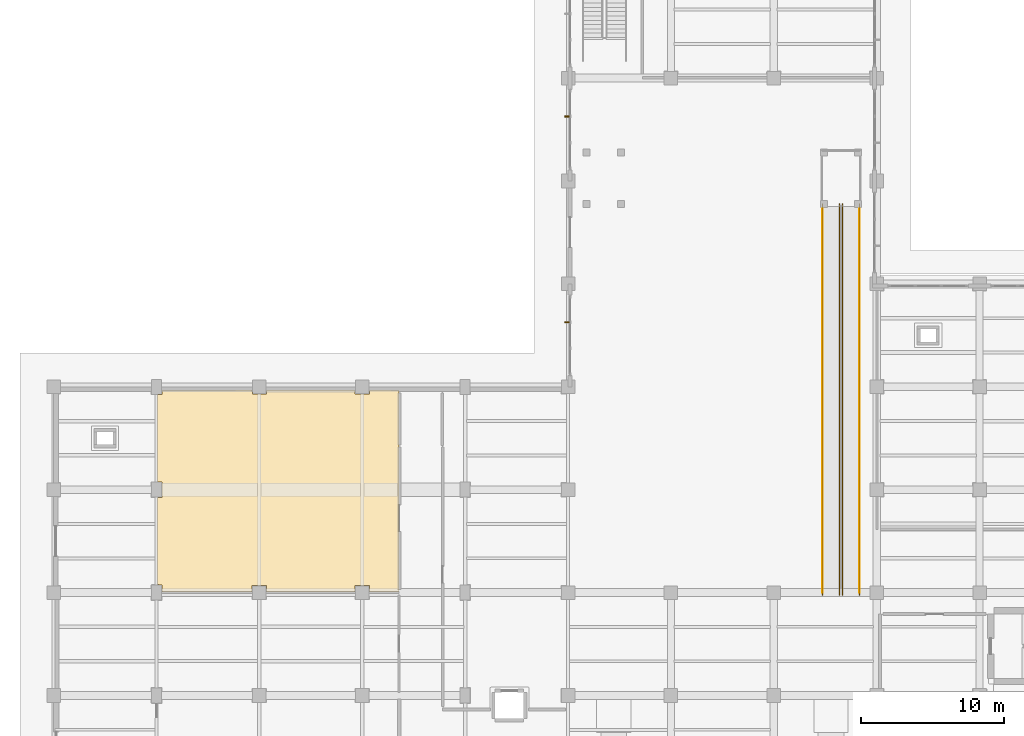
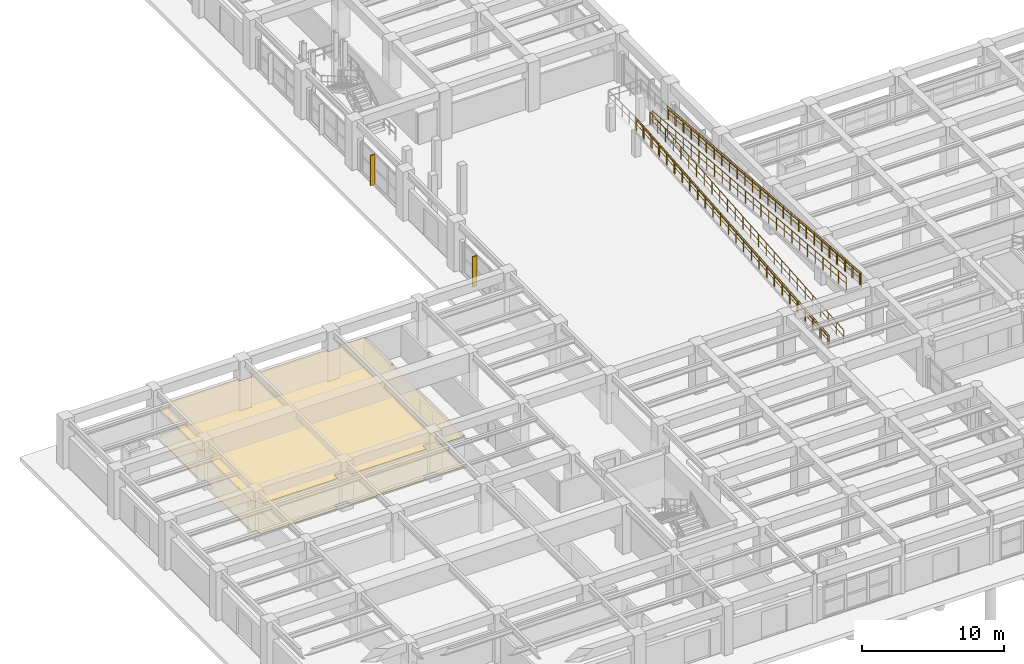
# One storey, part 53 of 64: 6 railings, 2 coverings, 2 shading devices.
"""IFC4 building model written with IfcOpenShell, lengths in metres."""

import ifcopenshell
import ifcopenshell.guid

model = None  # the IFC model being written
_history = None  # IfcOwnerHistory: only IFC2X3 demands one
_inside = {}  # id of a spatial element -> (the spatial element, [elements in it])
_under = {}  # id of a project, library or spatial element -> (it, [spatial elements below it])
_declared = {}  # id of a project -> (the project, [libraries it declares])
_typed = {}  # id of a type object -> (the type object, [elements of that type])
_made_of = {}  # id of a material, layer set ... -> (it, [elements and type objects made of it])


def new_model(schema):
    """Start an empty IFC model of exactly this schema.

    Asked for "IFC4X3", IfcOpenShell would pick the latest addendum, in which some entities
    have other attributes; the version numbers below select the first issue.
    IFC2X3 requires an IfcOwnerHistory on every rooted entity: one is made here for all.
    """
    global model, _history
    if schema == "IFC4X3":
        model = ifcopenshell.file(schema_version=(4, 3, 0, 0))
    else:
        model = ifcopenshell.file(schema=schema)
    _inside.clear()
    _under.clear()
    _declared.clear()
    _typed.clear()
    _made_of.clear()
    _history = None
    if model.schema == "IFC2X3":
        org = make("IfcOrganization", Name="unknown")
        user = make(
            "IfcPersonAndOrganization",
            ThePerson=make("IfcPerson", FamilyName="unknown"),
            TheOrganization=org,
        )
        app = make(
            "IfcApplication",
            ApplicationDeveloper=org,
            Version="unknown",
            ApplicationFullName="unknown",
            ApplicationIdentifier="unknown",
        )
        _history = make(
            "IfcOwnerHistory",
            OwningUser=user,
            OwningApplication=app,
            ChangeAction="ADDED",
            CreationDate=0,
        )
    return model


def make(cls, **values):
    """One entity of the class cls with the attributes given. An attribute that is None is left unset."""
    return model.create_entity(
        cls, **{name: value for name, value in values.items() if value is not None}
    )


def rooted(cls, **values):
    """An entity with a GlobalId (a new one), such as an element, a storey or a relation."""
    return make(cls, GlobalId=ifcopenshell.guid.new(), OwnerHistory=_history, **values)


def si_unit(unit_type, name, prefix=None):
    """IfcSIUnit, for example si_unit("LENGTHUNIT", "METRE", prefix="MILLI")."""
    return make("IfcSIUnit", UnitType=unit_type, Prefix=prefix, Name=name)


def assignment(units):
    """IfcUnitAssignment: the units of a project."""
    return None if units is None else make("IfcUnitAssignment", Units=units)


def point(xyz):
    """IfcCartesianPoint."""
    return None if xyz is None else make("IfcCartesianPoint", Coordinates=xyz)


def direction(xyz):
    """IfcDirection."""
    return None if xyz is None else make("IfcDirection", DirectionRatios=xyz)


def frame(location, z_axis=None, x_axis=None):
    """IfcAxis2Placement3D, a coordinate frame: its origin and axes. An axis left out is left unset."""
    return make(
        "IfcAxis2Placement3D",
        Location=point(location),
        Axis=direction(z_axis),
        RefDirection=direction(x_axis),
    )


def frame_2d(location, x_axis=None):
    """IfcAxis2Placement2D, a coordinate frame in the plane: its origin and x axis."""
    return make(
        "IfcAxis2Placement2D", Location=point(location), RefDirection=direction(x_axis)
    )


def origin():
    """The frame at (0, 0, 0) with its axes left unset."""
    return frame((0.0, 0.0, 0.0))


def origin_2d():
    """The frame at (0, 0) in the plane with its x axis left unset."""
    return frame_2d((0.0, 0.0))


def place(relative_to, where):
    """IfcLocalPlacement: puts the frame where relative to a parent placement (None: the world)."""
    return make(
        "IfcLocalPlacement", PlacementRelTo=relative_to, RelativePlacement=where
    )


def context(
    kind, dimensions, precision=None, world=None, true_north=None, identifier=None
):
    """IfcGeometricRepresentationContext, for example the 3D "Model" context."""
    return make(
        "IfcGeometricRepresentationContext",
        ContextIdentifier=identifier,
        ContextType=kind,
        CoordinateSpaceDimension=dimensions,
        Precision=precision,
        WorldCoordinateSystem=world,
        TrueNorth=true_north,
    )


def subcontext(parent, identifier, kind, view, scale=None):
    """IfcGeometricRepresentationSubContext, for example "Body" below "Model"."""
    return make(
        "IfcGeometricRepresentationSubContext",
        ContextIdentifier=identifier,
        ContextType=kind,
        ParentContext=parent,
        TargetScale=scale,
        TargetView=view,
    )


def project(units=None, contexts=None):
    """IfcProject with its units and contexts."""
    return rooted(
        "IfcProject",
        Name="project",
        RepresentationContexts=contexts,
        UnitsInContext=assignment(units),
    )


def spatial(cls, under=None, at=None, **own):
    """A site, building, storey or space (cls), placed at a placement, below another one or the project."""
    s = rooted(cls, ObjectPlacement=at, **own)
    if under is not None:
        _under.setdefault(under.id(), (under, []))[1].append(s)
    return s


def polyline(points):
    """IfcPolyline through the points."""
    return make("IfcPolyline", Points=[point(p) for p in points])


def profile(cls, at=None, kind="AREA", **sizes):
    """A parametric profile (cls). Its sizes go by their IFC names, for example OverallWidth=200.0."""
    return make(cls, ProfileType=kind, Position=at, **sizes)


def rectangle(**sizes):
    """IfcRectangleProfileDef."""
    return profile("IfcRectangleProfileDef", **sizes)


def circle(**sizes):
    """IfcCircleProfileDef."""
    return profile("IfcCircleProfileDef", **sizes)


def outline(outer, holes=None, kind="AREA"):
    """IfcArbitraryClosedProfileDef: a profile drawn as a closed curve; with holes, ...WithVoids."""
    if holes is None:
        return make("IfcArbitraryClosedProfileDef", ProfileType=kind, OuterCurve=outer)
    return make(
        "IfcArbitraryProfileDefWithVoids",
        ProfileType=kind,
        OuterCurve=outer,
        InnerCurves=holes,
    )


def extrude(swept, where, along, depth):
    """IfcExtrudedAreaSolid: the profile swept, set in the frame where, extruded along a direction by depth."""
    return make(
        "IfcExtrudedAreaSolid",
        SweptArea=swept,
        Position=where,
        ExtrudedDirection=direction(along),
        Depth=depth,
    )


def shape(context_of_items, identifier, shape_type, items):
    """IfcShapeRepresentation: the items that make up one representation, for example the "Body"."""
    return make(
        "IfcShapeRepresentation",
        ContextOfItems=context_of_items,
        RepresentationIdentifier=identifier,
        RepresentationType=shape_type,
        Items=items,
    )


def material(Name=None, Category=None):
    """IfcMaterial."""
    return make("IfcMaterial", Name=Name, Category=Category)


def layer(
    of_material, thickness, ventilated=None, Name=None, Category=None, Priority=None
):
    """IfcMaterialLayer: one layer of a wall or slab, of a material (None: an air gap)."""
    return make(
        "IfcMaterialLayer",
        Material=of_material,
        LayerThickness=thickness,
        IsVentilated=ventilated,
        Name=Name,
        Category=Category,
        Priority=Priority,
    )


def layer_set(layers, Name=None):
    """IfcMaterialLayerSet."""
    return make("IfcMaterialLayerSet", MaterialLayers=layers, LayerSetName=Name)


def material_profile(
    of_material, cross_section, Name=None, Category=None, Priority=None
):
    """IfcMaterialProfile: a cross section and its material."""
    return make(
        "IfcMaterialProfile",
        Name=Name,
        Material=of_material,
        Profile=cross_section,
        Priority=Priority,
        Category=Category,
    )


def profile_set(profiles, Name=None, composite=None):
    """IfcMaterialProfileSet."""
    return make(
        "IfcMaterialProfileSet",
        Name=Name,
        MaterialProfiles=profiles,
        CompositeProfile=composite,
    )


def made_of(thing, what):
    """Note that an element or type object is made of a material, layer set ...; save() writes the relation."""
    if what is not None:
        _made_of.setdefault(what.id(), (what, []))[1].append(thing)
    return thing


def type_object(cls, material=None, **own):
    """A type object (cls), such as IfcWallType, which elements share."""
    return made_of(rooted(cls, **own), material)


def element(
    cls,
    number,
    at=None,
    inside=None,
    cuts=None,
    type_object=None,
    material=None,
    context=None,
    identifier="Body",
    shape_type=None,
    held_by="IfcProductDefinitionShape",
    body=None,
    shapes=None,
    **own,
):
    """One element of the class cls, such as IfcWall. Its Tag is "e" and its number.

    at: its placement. inside: the storey or other place that contains it. cuts: it is an
    opening in that element (IfcRelVoidsElement). A single representation is given by context,
    identifier, shape_type and body (its items); several are given by shapes. held_by: the class
    of the entity that holds the representations. save() writes the other relations.
    """
    e = rooted(cls, Tag="e%d" % number, ObjectPlacement=at, **own)
    if body is not None:
        shapes = [shape(context, identifier, shape_type, body)]
    if shapes is not None:
        e.Representation = make(held_by, Representations=shapes)
    if inside is not None:
        _inside.setdefault(inside.id(), (inside, []))[1].append(e)
    if cuts is not None:
        rooted(
            "IfcRelVoidsElement", RelatingBuildingElement=cuts, RelatedOpeningElement=e
        )
    if type_object is not None:
        _typed.setdefault(type_object.id(), (type_object, []))[1].append(e)
    return made_of(e, material)


def aggregate(whole, parts):
    """IfcRelAggregates: a whole, such as a stair, and the parts it consists of."""
    return rooted("IfcRelAggregates", RelatingObject=whole, RelatedObjects=parts)


def save(model, path):
    """Write the relations noted so far, then the file.

    IfcRelAggregates (storeys below a building ...), IfcRelContainedInSpatialStructure (elements
    in a storey), IfcRelDefinesByType, IfcRelAssociatesMaterial and IfcRelDeclares: one each for
    every whole, place, type object, material and project.
    """
    for whole, parts in _under.values():
        aggregate(whole, parts)
    for where, things in _inside.values():
        rooted(
            "IfcRelContainedInSpatialStructure",
            RelatedElements=things,
            RelatingStructure=where,
        )
    for kind, things in _typed.values():
        rooted("IfcRelDefinesByType", RelatedObjects=things, RelatingType=kind)
    for what, things in _made_of.values():
        rooted("IfcRelAssociatesMaterial", RelatedObjects=things, RelatingMaterial=what)
    for by, libraries in _declared.values():
        rooted("IfcRelDeclares", RelatingContext=by, RelatedDefinitions=libraries)
    model.write(path)


model = new_model("IFC4")

# Units and contexts
model_context = context("Model", 3, precision=1e-05, world=origin(), true_north=direction((0.0, 1.0)))
body_context = subcontext(model_context, "Body", "Model", "MODEL_VIEW")
ifc_project = project(units=[si_unit("LENGTHUNIT", "METRE"), si_unit("AREAUNIT", "SQUARE_METRE"), si_unit("VOLUMEUNIT", "CUBIC_METRE"), si_unit("PLANEANGLEUNIT", "RADIAN"), si_unit("MASSUNIT", "GRAM", prefix="KILO")], contexts=[model_context])

# Site, building, storey
site_placement = place(None, origin())
site = spatial("IfcSite", under=ifc_project, at=site_placement, CompositionType="ELEMENT")
building_placement = place(site_placement, origin())
building = spatial("IfcBuilding", under=site, at=building_placement, Name="Solenvale Faculty of Natural Sciences", CompositionType="ELEMENT")
storey_placement = place(building_placement, origin())
storey = spatial("IfcBuildingStorey", under=building, at=storey_placement, Name="L00", CompositionType="ELEMENT", Elevation=0.0)

# Coverings
ifc_material_1 = material(Name="Oak slatted acoustic timber ceiling", Category="wood")
ifc_layer_1 = layer(ifc_material_1, 0.034912109375)
ifc_layer_set_1 = layer_set([ifc_layer_1], Name="Oak slatted acoustic timber ceiling")
covering_type_1 = type_object("IfcCoveringType", Name="COV-CEIL-WD35", PredefinedType="CEILING", material=ifc_layer_set_1)
covering_1_placement = place(storey_placement, frame((0.0, 0.0, 2.56494140625)))
element("IfcCovering", 1, at=covering_1_placement, inside=storey, type_object=covering_type_1, Name="L00 Lecture Theatre Acoustic Ceiling", PredefinedType="CEILING", context=body_context, shape_type="SweptSolid", body=[
    extrude(outline(polyline([(24.179931640625, 39.049072265625), (24.159912109375, 39.0), (24.159912109375, 28.8701171875), (24.14404296875, 28.843994140625), (22.1240234375, 28.841064453125), (22.10009765625, 28.866943359375), (22.093994140625, 29.299072265625), (21.111083984375, 29.300048828125), (21.10009765625, 29.2890625), (21.10009765625, 28.866943359375), (21.072998046875, 28.840087890625), (14.929931640625, 28.840087890625), (14.89990234375, 28.866943359375), (14.89404296875, 29.299072265625), (13.910888671875, 29.300048828125), (13.89990234375, 29.2890625), (13.89990234375, 28.866943359375), (13.873046875, 28.840087890625), (7.60498046875, 28.840087890625), (7.574951171875, 28.866943359375), (7.572998046875, 29.345947265625), (7.26708984375, 29.35009765625), (7.243896484375, 29.365966796875), (7.239990234375, 35.419921875), (7.26708984375, 35.449951171875), (7.574951171875, 35.45703125), (7.574951171875, 36.5390625), (7.56396484375, 36.550048828125), (7.26708984375, 36.550048828125), (7.239990234375, 36.576904296875), (7.239990234375, 42.6201171875), (7.26708984375, 42.64990234375), (7.572021484375, 42.653076171875), (7.574951171875, 42.93310546875), (7.591064453125, 42.9560546875), (13.8701171875, 42.9599609375), (13.89990234375, 42.93310546875), (13.906982421875, 42.699951171875), (14.888916015625, 42.699951171875), (14.89990234375, 42.7109375), (14.90087890625, 42.93603515625), (14.929931640625, 42.9599609375), (21.070068359375, 42.9599609375), (21.10009765625, 42.93310546875), (21.10693359375, 42.699951171875), (22.089111328125, 42.699951171875), (22.10009765625, 42.7109375), (22.10009765625, 42.93310546875), (22.126953125, 42.9599609375), (24.156005859375, 42.958984375), (24.179931640625, 42.929931640625), (24.179931640625, 39.049072265625)])), origin(), (0.0, 0.0, 1.0), 0.03515625),
])
ifc_material_2 = material(Name="Polished slate terrazzo flooring", Category="masonry")
ifc_layer_2 = layer(ifc_material_2, 0.01806640625)
ifc_layer_set_2 = layer_set([ifc_layer_2], Name="Polished slate terrazzo flooring")
covering_type_2 = type_object("IfcCoveringType", Name="COV-FLR-TRZ18", PredefinedType="FLOORING", material=ifc_layer_set_2)
covering_2_placement = place(storey_placement, origin())
element("IfcCovering", 2, at=covering_2_placement, inside=storey, type_object=covering_type_2, Name="L00 Lecture Theatre Floor Finish", PredefinedType="FLOORING", context=body_context, shape_type="SweptSolid", body=[
    extrude(outline(polyline([(24.179931640625, 39.049072265625), (24.159912109375, 39.0), (24.159912109375, 28.8701171875), (24.14404296875, 28.843994140625), (22.1240234375, 28.841064453125), (22.10009765625, 28.866943359375), (22.093994140625, 29.299072265625), (21.111083984375, 29.300048828125), (21.10009765625, 29.2890625), (21.10009765625, 28.866943359375), (21.072998046875, 28.840087890625), (14.929931640625, 28.840087890625), (14.89990234375, 28.866943359375), (14.89404296875, 29.299072265625), (13.910888671875, 29.300048828125), (13.89990234375, 29.2890625), (13.89990234375, 28.866943359375), (13.873046875, 28.840087890625), (7.60498046875, 28.840087890625), (7.574951171875, 28.866943359375), (7.572998046875, 29.345947265625), (7.26708984375, 29.35009765625), (7.243896484375, 29.365966796875), (7.239990234375, 35.419921875), (7.26708984375, 35.449951171875), (7.574951171875, 35.45703125), (7.574951171875, 36.5390625), (7.56396484375, 36.550048828125), (7.26708984375, 36.550048828125), (7.239990234375, 36.576904296875), (7.239990234375, 42.6201171875), (7.26708984375, 42.64990234375), (7.572021484375, 42.653076171875), (7.574951171875, 42.93310546875), (7.591064453125, 42.9560546875), (13.8701171875, 42.9599609375), (13.89990234375, 42.93310546875), (13.906982421875, 42.699951171875), (14.888916015625, 42.699951171875), (14.89990234375, 42.7109375), (14.90087890625, 42.93603515625), (14.929931640625, 42.9599609375), (21.070068359375, 42.9599609375), (21.10009765625, 42.93310546875), (21.10693359375, 42.699951171875), (22.089111328125, 42.699951171875), (22.10009765625, 42.7109375), (22.10009765625, 42.93310546875), (22.126953125, 42.9599609375), (24.156005859375, 42.958984375), (24.179931640625, 42.929931640625), (24.179931640625, 39.049072265625)])), origin(), (0.0, 0.0, 1.0), 0.01806640625),
])

# Railings
ifc_material_3 = material(Name="Stainless steel Grade 304", Category="steel")
railing_type_1 = type_object("IfcRailingType", Name="RL-GRD-1100", PredefinedType="GUARDRAIL", material=ifc_material_3)
railing_1_placement = place(storey_placement, frame((53.800048828125, 28.6201171875, 0.0)))
element("IfcRailing", 3, at=railing_1_placement, inside=storey, type_object=railing_type_1, Name="RMP-01 Flight 1 Guardrail FL1-W", PredefinedType="GUARDRAIL", context=body_context, shape_type="SweptSolid", body=[
    extrude(circle(Radius=0.02392578125, at=origin_2d()), frame((0.0, 0.0, 1.09619140625), z_axis=(0.0, 0.996635572651, 0.081960571784), x_axis=(-1.0, 0.0, 0.0)), (0.0, 0.0, 1.0), 27.4521484375),
    extrude(circle(Radius=0.01611328125, at=origin_2d()), frame((0.0, 0.0, 0.56005859375), z_axis=(0.0, 0.996635572651, 0.081960571784), x_axis=(-1.0, 0.0, 0.0)), (0.0, 0.0, 1.0), 27.4521484375),
    extrude(circle(Radius=0.02099609375, at=origin_2d()), origin(), (0.0, 0.0, 1.0), 1.072021484375),
    extrude(circle(Radius=0.02099609375, at=origin_2d()), frame((0.0, 1.094482421875, 0.090087890625)), (0.0, 0.0, 1.0), 1.072021484375),
    extrude(circle(Radius=0.02099609375, at=origin_2d()), frame((0.0, 2.188720703125, 0.179931640625)), (0.0, 0.0, 1.0), 1.072021484375),
    extrude(circle(Radius=0.02099609375, at=origin_2d()), frame((0.0, 3.283203125, 0.27001953125)), (0.0, 0.0, 1.0), 1.072021484375),
    extrude(circle(Radius=0.02099609375, at=origin_2d()), frame((0.0, 4.377685546875, 0.360107421875)), (0.0, 0.0, 1.0), 1.072021484375),
    extrude(circle(Radius=0.02099609375, at=origin_2d()), frame((0.0, 5.471923828125, 0.449951171875)), (0.0, 0.0, 1.0), 1.072021484375),
    extrude(circle(Radius=0.02099609375, at=origin_2d()), frame((0.0, 6.56640625, 0.5400390625)), (0.0, 0.0, 1.0), 1.072021484375),
    extrude(circle(Radius=0.02099609375, at=origin_2d()), frame((0.0, 7.66064453125, 0.6298828125)), (0.0, 0.0, 1.0), 1.072021484375),
    extrude(circle(Radius=0.02099609375, at=origin_2d()), frame((0.0, 8.755126953125, 0.719970703125)), (0.0, 0.0, 1.0), 1.072021484375),
    extrude(circle(Radius=0.02099609375, at=origin_2d()), frame((0.0, 9.849609375, 0.81005859375)), (0.0, 0.0, 1.0), 1.072021484375),
    extrude(circle(Radius=0.02099609375, at=origin_2d()), frame((0.0, 10.94384765625, 0.89990234375)), (0.0, 0.0, 1.0), 1.072021484375),
    extrude(circle(Radius=0.02099609375, at=origin_2d()), frame((0.0, 12.038330078125, 0.989990234375)), (0.0, 0.0, 1.0), 1.072021484375),
    extrude(circle(Radius=0.02099609375, at=origin_2d()), frame((0.0, 13.1328125, 1.080078125)), (0.0, 0.0, 1.0), 1.072021484375),
    extrude(circle(Radius=0.02099609375, at=origin_2d()), frame((0.0, 14.22705078125, 1.169921875)), (0.0, 0.0, 1.0), 1.072021484375),
    extrude(circle(Radius=0.02099609375, at=origin_2d()), frame((0.0, 15.321533203125, 1.260009765625)), (0.0, 0.0, 1.0), 1.072021484375),
    extrude(circle(Radius=0.02099609375, at=origin_2d()), frame((0.0, 16.416015625, 1.35009765625)), (0.0, 0.0, 1.0), 1.072021484375),
    extrude(circle(Radius=0.02099609375, at=origin_2d()), frame((0.0, 17.51025390625, 1.43994140625)), (0.0, 0.0, 1.0), 1.072021484375),
    extrude(circle(Radius=0.02099609375, at=origin_2d()), frame((0.0, 18.604736328125, 1.530029296875)), (0.0, 0.0, 1.0), 1.072021484375),
    extrude(circle(Radius=0.02099609375, at=origin_2d()), frame((0.0, 19.69921875, 1.6201171875)), (0.0, 0.0, 1.0), 1.072021484375),
    extrude(circle(Radius=0.02099609375, at=origin_2d()), frame((0.0, 20.79345703125, 1.7099609375)), (0.0, 0.0, 1.0), 1.072021484375),
    extrude(circle(Radius=0.02099609375, at=origin_2d()), frame((0.0, 21.887939453125, 1.800048828125)), (0.0, 0.0, 1.0), 1.072021484375),
    extrude(circle(Radius=0.02099609375, at=origin_2d()), frame((0.0, 22.982177734375, 1.889892578125)), (0.0, 0.0, 1.0), 1.072021484375),
    extrude(circle(Radius=0.02099609375, at=origin_2d()), frame((0.0, 24.07666015625, 1.97998046875)), (0.0, 0.0, 1.0), 1.072021484375),
    extrude(circle(Radius=0.02099609375, at=origin_2d()), frame((0.0, 25.171142578125, 2.070068359375)), (0.0, 0.0, 1.0), 1.072021484375),
    extrude(circle(Radius=0.02099609375, at=origin_2d()), frame((0.0, 26.265380859375, 2.159912109375)), (0.0, 0.0, 1.0), 1.072021484375),
    extrude(circle(Radius=0.02099609375, at=origin_2d()), frame((0.0, 27.35986328125, 2.25)), (0.0, 0.0, 1.0), 1.072021484375),
])
railing_2_placement = place(storey_placement, frame((55.0, 28.6201171875, 0.0)))
element("IfcRailing", 4, at=railing_2_placement, inside=storey, type_object=railing_type_1, Name="RMP-01 Flight 1 Guardrail FL1-E", PredefinedType="GUARDRAIL", context=body_context, shape_type="SweptSolid", body=[
    extrude(circle(Radius=0.02392578125, at=origin_2d()), frame((0.0, 0.0, 1.09619140625), z_axis=(0.0, 0.996635572651, 0.081960571784), x_axis=(-1.0, 0.0, 0.0)), (0.0, 0.0, 1.0), 27.4521484375),
    extrude(circle(Radius=0.01611328125, at=origin_2d()), frame((0.0, 0.0, 0.56005859375), z_axis=(0.0, 0.996635572651, 0.081960571784), x_axis=(-1.0, 0.0, 0.0)), (0.0, 0.0, 1.0), 27.4521484375),
    extrude(circle(Radius=0.02099609375, at=origin_2d()), origin(), (0.0, 0.0, 1.0), 1.072021484375),
    extrude(circle(Radius=0.02099609375, at=origin_2d()), frame((0.0, 1.094482421875, 0.090087890625)), (0.0, 0.0, 1.0), 1.072021484375),
    extrude(circle(Radius=0.02099609375, at=origin_2d()), frame((0.0, 2.188720703125, 0.179931640625)), (0.0, 0.0, 1.0), 1.072021484375),
    extrude(circle(Radius=0.02099609375, at=origin_2d()), frame((0.0, 3.283203125, 0.27001953125)), (0.0, 0.0, 1.0), 1.072021484375),
    extrude(circle(Radius=0.02099609375, at=origin_2d()), frame((0.0, 4.377685546875, 0.360107421875)), (0.0, 0.0, 1.0), 1.072021484375),
    extrude(circle(Radius=0.02099609375, at=origin_2d()), frame((0.0, 5.471923828125, 0.449951171875)), (0.0, 0.0, 1.0), 1.072021484375),
    extrude(circle(Radius=0.02099609375, at=origin_2d()), frame((0.0, 6.56640625, 0.5400390625)), (0.0, 0.0, 1.0), 1.072021484375),
    extrude(circle(Radius=0.02099609375, at=origin_2d()), frame((0.0, 7.66064453125, 0.6298828125)), (0.0, 0.0, 1.0), 1.072021484375),
    extrude(circle(Radius=0.02099609375, at=origin_2d()), frame((0.0, 8.755126953125, 0.719970703125)), (0.0, 0.0, 1.0), 1.072021484375),
    extrude(circle(Radius=0.02099609375, at=origin_2d()), frame((0.0, 9.849609375, 0.81005859375)), (0.0, 0.0, 1.0), 1.072021484375),
    extrude(circle(Radius=0.02099609375, at=origin_2d()), frame((0.0, 10.94384765625, 0.89990234375)), (0.0, 0.0, 1.0), 1.072021484375),
    extrude(circle(Radius=0.02099609375, at=origin_2d()), frame((0.0, 12.038330078125, 0.989990234375)), (0.0, 0.0, 1.0), 1.072021484375),
    extrude(circle(Radius=0.02099609375, at=origin_2d()), frame((0.0, 13.1328125, 1.080078125)), (0.0, 0.0, 1.0), 1.072021484375),
    extrude(circle(Radius=0.02099609375, at=origin_2d()), frame((0.0, 14.22705078125, 1.169921875)), (0.0, 0.0, 1.0), 1.072021484375),
    extrude(circle(Radius=0.02099609375, at=origin_2d()), frame((0.0, 15.321533203125, 1.260009765625)), (0.0, 0.0, 1.0), 1.072021484375),
    extrude(circle(Radius=0.02099609375, at=origin_2d()), frame((0.0, 16.416015625, 1.35009765625)), (0.0, 0.0, 1.0), 1.072021484375),
    extrude(circle(Radius=0.02099609375, at=origin_2d()), frame((0.0, 17.51025390625, 1.43994140625)), (0.0, 0.0, 1.0), 1.072021484375),
    extrude(circle(Radius=0.02099609375, at=origin_2d()), frame((0.0, 18.604736328125, 1.530029296875)), (0.0, 0.0, 1.0), 1.072021484375),
    extrude(circle(Radius=0.02099609375, at=origin_2d()), frame((0.0, 19.69921875, 1.6201171875)), (0.0, 0.0, 1.0), 1.072021484375),
    extrude(circle(Radius=0.02099609375, at=origin_2d()), frame((0.0, 20.79345703125, 1.7099609375)), (0.0, 0.0, 1.0), 1.072021484375),
    extrude(circle(Radius=0.02099609375, at=origin_2d()), frame((0.0, 21.887939453125, 1.800048828125)), (0.0, 0.0, 1.0), 1.072021484375),
    extrude(circle(Radius=0.02099609375, at=origin_2d()), frame((0.0, 22.982177734375, 1.889892578125)), (0.0, 0.0, 1.0), 1.072021484375),
    extrude(circle(Radius=0.02099609375, at=origin_2d()), frame((0.0, 24.07666015625, 1.97998046875)), (0.0, 0.0, 1.0), 1.072021484375),
    extrude(circle(Radius=0.02099609375, at=origin_2d()), frame((0.0, 25.171142578125, 2.070068359375)), (0.0, 0.0, 1.0), 1.072021484375),
    extrude(circle(Radius=0.02099609375, at=origin_2d()), frame((0.0, 26.265380859375, 2.159912109375)), (0.0, 0.0, 1.0), 1.072021484375),
    extrude(circle(Radius=0.02099609375, at=origin_2d()), frame((0.0, 27.35986328125, 2.25)), (0.0, 0.0, 1.0), 1.072021484375),
])
railing_3_placement = place(storey_placement, frame((55.199951171875, 55.97998046875, 2.25)))
element("IfcRailing", 5, at=railing_3_placement, inside=storey, type_object=railing_type_1, Name="RMP-01 Flight 2 Guardrail FL2-W", PredefinedType="GUARDRAIL", context=body_context, shape_type="SweptSolid", body=[
    extrude(circle(Radius=0.02392578125, at=origin_2d()), frame((0.0, 0.0, 1.09619140625), z_axis=(0.0, -0.996635572651, 0.081960571784), x_axis=(1.0, 0.0, 0.0)), (0.0, 0.0, 1.0), 27.4521484375),
    extrude(circle(Radius=0.01611328125, at=origin_2d()), frame((0.0, 0.0, 0.56005859375), z_axis=(0.0, -0.996635572651, 0.081960571784), x_axis=(1.0, 0.0, 0.0)), (0.0, 0.0, 1.0), 27.4521484375),
    extrude(circle(Radius=0.02099609375, at=origin_2d()), origin(), (0.0, 0.0, 1.0), 1.072021484375),
    extrude(circle(Radius=0.02099609375, at=origin_2d()), frame((0.0, -1.094482421875, 0.090087890625)), (0.0, 0.0, 1.0), 1.072021484375),
    extrude(circle(Radius=0.02099609375, at=origin_2d()), frame((0.0, -2.188720703125, 0.179931640625)), (0.0, 0.0, 1.0), 1.072021484375),
    extrude(circle(Radius=0.02099609375, at=origin_2d()), frame((0.0, -3.283203125, 0.27001953125)), (0.0, 0.0, 1.0), 1.072021484375),
    extrude(circle(Radius=0.02099609375, at=origin_2d()), frame((0.0, -4.377685546875, 0.360107421875)), (0.0, 0.0, 1.0), 1.072021484375),
    extrude(circle(Radius=0.02099609375, at=origin_2d()), frame((0.0, -5.471923828125, 0.449951171875)), (0.0, 0.0, 1.0), 1.072021484375),
    extrude(circle(Radius=0.02099609375, at=origin_2d()), frame((0.0, -6.56640625, 0.5400390625)), (0.0, 0.0, 1.0), 1.072021484375),
    extrude(circle(Radius=0.02099609375, at=origin_2d()), frame((0.0, -7.66064453125, 0.6298828125)), (0.0, 0.0, 1.0), 1.072021484375),
    extrude(circle(Radius=0.02099609375, at=origin_2d()), frame((0.0, -8.755126953125, 0.719970703125)), (0.0, 0.0, 1.0), 1.072021484375),
    extrude(circle(Radius=0.02099609375, at=origin_2d()), frame((0.0, -9.849609375, 0.81005859375)), (0.0, 0.0, 1.0), 1.072021484375),
    extrude(circle(Radius=0.02099609375, at=origin_2d()), frame((0.0, -10.94384765625, 0.89990234375)), (0.0, 0.0, 1.0), 1.072021484375),
    extrude(circle(Radius=0.02099609375, at=origin_2d()), frame((0.0, -12.038330078125, 0.989990234375)), (0.0, 0.0, 1.0), 1.072021484375),
    extrude(circle(Radius=0.02099609375, at=origin_2d()), frame((0.0, -13.1328125, 1.080078125)), (0.0, 0.0, 1.0), 1.072021484375),
    extrude(circle(Radius=0.02099609375, at=origin_2d()), frame((0.0, -14.22705078125, 1.169921875)), (0.0, 0.0, 1.0), 1.072021484375),
    extrude(circle(Radius=0.02099609375, at=origin_2d()), frame((0.0, -15.321533203125, 1.260009765625)), (0.0, 0.0, 1.0), 1.072021484375),
    extrude(circle(Radius=0.02099609375, at=origin_2d()), frame((0.0, -16.416015625, 1.35009765625)), (0.0, 0.0, 1.0), 1.072021484375),
    extrude(circle(Radius=0.02099609375, at=origin_2d()), frame((0.0, -17.51025390625, 1.43994140625)), (0.0, 0.0, 1.0), 1.072021484375),
    extrude(circle(Radius=0.02099609375, at=origin_2d()), frame((0.0, -18.604736328125, 1.530029296875)), (0.0, 0.0, 1.0), 1.072021484375),
    extrude(circle(Radius=0.02099609375, at=origin_2d()), frame((0.0, -19.69921875, 1.6201171875)), (0.0, 0.0, 1.0), 1.072021484375),
    extrude(circle(Radius=0.02099609375, at=origin_2d()), frame((0.0, -20.79345703125, 1.7099609375)), (0.0, 0.0, 1.0), 1.072021484375),
    extrude(circle(Radius=0.02099609375, at=origin_2d()), frame((0.0, -21.887939453125, 1.800048828125)), (0.0, 0.0, 1.0), 1.072021484375),
    extrude(circle(Radius=0.02099609375, at=origin_2d()), frame((0.0, -22.982177734375, 1.889892578125)), (0.0, 0.0, 1.0), 1.072021484375),
    extrude(circle(Radius=0.02099609375, at=origin_2d()), frame((0.0, -24.07666015625, 1.97998046875)), (0.0, 0.0, 1.0), 1.072021484375),
    extrude(circle(Radius=0.02099609375, at=origin_2d()), frame((0.0, -25.171142578125, 2.070068359375)), (0.0, 0.0, 1.0), 1.072021484375),
    extrude(circle(Radius=0.02099609375, at=origin_2d()), frame((0.0, -26.265380859375, 2.159912109375)), (0.0, 0.0, 1.0), 1.072021484375),
    extrude(circle(Radius=0.02099609375, at=origin_2d()), frame((0.0, -27.35986328125, 2.25)), (0.0, 0.0, 1.0), 1.072021484375),
])
railing_4_placement = place(storey_placement, frame((56.39990234375, 55.97998046875, 2.25)))
element("IfcRailing", 6, at=railing_4_placement, inside=storey, type_object=railing_type_1, Name="RMP-01 Flight 2 Guardrail FL2-E", PredefinedType="GUARDRAIL", context=body_context, shape_type="SweptSolid", body=[
    extrude(circle(Radius=0.02392578125, at=origin_2d()), frame((0.0, 0.0, 1.09619140625), z_axis=(0.0, -0.996635572651, 0.081960571784), x_axis=(1.0, 0.0, 0.0)), (0.0, 0.0, 1.0), 27.4521484375),
    extrude(circle(Radius=0.01611328125, at=origin_2d()), frame((0.0, 0.0, 0.56005859375), z_axis=(0.0, -0.996635572651, 0.081960571784), x_axis=(1.0, 0.0, 0.0)), (0.0, 0.0, 1.0), 27.4521484375),
    extrude(circle(Radius=0.02099609375, at=origin_2d()), origin(), (0.0, 0.0, 1.0), 1.072021484375),
    extrude(circle(Radius=0.02099609375, at=origin_2d()), frame((0.0, -1.094482421875, 0.090087890625)), (0.0, 0.0, 1.0), 1.072021484375),
    extrude(circle(Radius=0.02099609375, at=origin_2d()), frame((0.0, -2.188720703125, 0.179931640625)), (0.0, 0.0, 1.0), 1.072021484375),
    extrude(circle(Radius=0.02099609375, at=origin_2d()), frame((0.0, -3.283203125, 0.27001953125)), (0.0, 0.0, 1.0), 1.072021484375),
    extrude(circle(Radius=0.02099609375, at=origin_2d()), frame((0.0, -4.377685546875, 0.360107421875)), (0.0, 0.0, 1.0), 1.072021484375),
    extrude(circle(Radius=0.02099609375, at=origin_2d()), frame((0.0, -5.471923828125, 0.449951171875)), (0.0, 0.0, 1.0), 1.072021484375),
    extrude(circle(Radius=0.02099609375, at=origin_2d()), frame((0.0, -6.56640625, 0.5400390625)), (0.0, 0.0, 1.0), 1.072021484375),
    extrude(circle(Radius=0.02099609375, at=origin_2d()), frame((0.0, -7.66064453125, 0.6298828125)), (0.0, 0.0, 1.0), 1.072021484375),
    extrude(circle(Radius=0.02099609375, at=origin_2d()), frame((0.0, -8.755126953125, 0.719970703125)), (0.0, 0.0, 1.0), 1.072021484375),
    extrude(circle(Radius=0.02099609375, at=origin_2d()), frame((0.0, -9.849609375, 0.81005859375)), (0.0, 0.0, 1.0), 1.072021484375),
    extrude(circle(Radius=0.02099609375, at=origin_2d()), frame((0.0, -10.94384765625, 0.89990234375)), (0.0, 0.0, 1.0), 1.072021484375),
    extrude(circle(Radius=0.02099609375, at=origin_2d()), frame((0.0, -12.038330078125, 0.989990234375)), (0.0, 0.0, 1.0), 1.072021484375),
    extrude(circle(Radius=0.02099609375, at=origin_2d()), frame((0.0, -13.1328125, 1.080078125)), (0.0, 0.0, 1.0), 1.072021484375),
    extrude(circle(Radius=0.02099609375, at=origin_2d()), frame((0.0, -14.22705078125, 1.169921875)), (0.0, 0.0, 1.0), 1.072021484375),
    extrude(circle(Radius=0.02099609375, at=origin_2d()), frame((0.0, -15.321533203125, 1.260009765625)), (0.0, 0.0, 1.0), 1.072021484375),
    extrude(circle(Radius=0.02099609375, at=origin_2d()), frame((0.0, -16.416015625, 1.35009765625)), (0.0, 0.0, 1.0), 1.072021484375),
    extrude(circle(Radius=0.02099609375, at=origin_2d()), frame((0.0, -17.51025390625, 1.43994140625)), (0.0, 0.0, 1.0), 1.072021484375),
    extrude(circle(Radius=0.02099609375, at=origin_2d()), frame((0.0, -18.604736328125, 1.530029296875)), (0.0, 0.0, 1.0), 1.072021484375),
    extrude(circle(Radius=0.02099609375, at=origin_2d()), frame((0.0, -19.69921875, 1.6201171875)), (0.0, 0.0, 1.0), 1.072021484375),
    extrude(circle(Radius=0.02099609375, at=origin_2d()), frame((0.0, -20.79345703125, 1.7099609375)), (0.0, 0.0, 1.0), 1.072021484375),
    extrude(circle(Radius=0.02099609375, at=origin_2d()), frame((0.0, -21.887939453125, 1.800048828125)), (0.0, 0.0, 1.0), 1.072021484375),
    extrude(circle(Radius=0.02099609375, at=origin_2d()), frame((0.0, -22.982177734375, 1.889892578125)), (0.0, 0.0, 1.0), 1.072021484375),
    extrude(circle(Radius=0.02099609375, at=origin_2d()), frame((0.0, -24.07666015625, 1.97998046875)), (0.0, 0.0, 1.0), 1.072021484375),
    extrude(circle(Radius=0.02099609375, at=origin_2d()), frame((0.0, -25.171142578125, 2.070068359375)), (0.0, 0.0, 1.0), 1.072021484375),
    extrude(circle(Radius=0.02099609375, at=origin_2d()), frame((0.0, -26.265380859375, 2.159912109375)), (0.0, 0.0, 1.0), 1.072021484375),
    extrude(circle(Radius=0.02099609375, at=origin_2d()), frame((0.0, -27.35986328125, 2.25)), (0.0, 0.0, 1.0), 1.072021484375),
])
railing_type_2 = type_object("IfcRailingType", Name="RL-HND-900", PredefinedType="HANDRAIL", material=ifc_material_3)
railing_5_placement = place(storey_placement, frame((53.800048828125, 28.800048828125, 0.0)))
element("IfcRailing", 7, at=railing_5_placement, inside=storey, type_object=railing_type_2, Name="RMP-01 Handrail 1", PredefinedType="HANDRAIL", context=body_context, shape_type="SweptSolid", body=[
    extrude(circle(Radius=0.02392578125, at=origin_2d()), frame((0.0, 0.0, 0.89599609375), z_axis=(0.0, 0.996545758245, 0.083045479854), x_axis=(-1.0, 0.0, 0.0)), (0.0, 0.0, 1.0), 27.093505859375),
    extrude(circle(Radius=0.02099609375, at=origin_2d()), origin(), (0.0, 0.0, 1.0), 0.871826171875),
    extrude(circle(Radius=0.02099609375, at=origin_2d()), frame((0.0, 1.080078125, 0.090087890625)), (0.0, 0.0, 1.0), 0.871826171875),
    extrude(circle(Radius=0.02099609375, at=origin_2d()), frame((0.0, 2.159912109375, 0.179931640625)), (0.0, 0.0, 1.0), 0.871826171875),
    extrude(circle(Radius=0.02099609375, at=origin_2d()), frame((0.0, 3.239990234375, 0.27001953125)), (0.0, 0.0, 1.0), 0.871826171875),
    extrude(circle(Radius=0.02099609375, at=origin_2d()), frame((0.0, 4.320068359375, 0.360107421875)), (0.0, 0.0, 1.0), 0.871826171875),
    extrude(circle(Radius=0.02099609375, at=origin_2d()), frame((0.0, 5.39990234375, 0.449951171875)), (0.0, 0.0, 1.0), 0.871826171875),
    extrude(circle(Radius=0.02099609375, at=origin_2d()), frame((0.0, 6.47998046875, 0.5400390625)), (0.0, 0.0, 1.0), 0.871826171875),
    extrude(circle(Radius=0.02099609375, at=origin_2d()), frame((0.0, 7.56005859375, 0.6298828125)), (0.0, 0.0, 1.0), 0.871826171875),
    extrude(circle(Radius=0.02099609375, at=origin_2d()), frame((0.0, 8.639892578125, 0.719970703125)), (0.0, 0.0, 1.0), 0.871826171875),
    extrude(circle(Radius=0.02099609375, at=origin_2d()), frame((0.0, 9.719970703125, 0.81005859375)), (0.0, 0.0, 1.0), 0.871826171875),
    extrude(circle(Radius=0.02099609375, at=origin_2d()), frame((0.0, 10.800048828125, 0.89990234375)), (0.0, 0.0, 1.0), 0.871826171875),
    extrude(circle(Radius=0.02099609375, at=origin_2d()), frame((0.0, 11.8798828125, 0.989990234375)), (0.0, 0.0, 1.0), 0.871826171875),
    extrude(circle(Radius=0.02099609375, at=origin_2d()), frame((0.0, 12.9599609375, 1.080078125)), (0.0, 0.0, 1.0), 0.871826171875),
    extrude(circle(Radius=0.02099609375, at=origin_2d()), frame((0.0, 14.0400390625, 1.169921875)), (0.0, 0.0, 1.0), 0.871826171875),
    extrude(circle(Radius=0.02099609375, at=origin_2d()), frame((0.0, 15.1201171875, 1.260009765625)), (0.0, 0.0, 1.0), 0.871826171875),
    extrude(circle(Radius=0.02099609375, at=origin_2d()), frame((0.0, 16.199951171875, 1.35009765625)), (0.0, 0.0, 1.0), 0.871826171875),
    extrude(circle(Radius=0.02099609375, at=origin_2d()), frame((0.0, 17.280029296875, 1.43994140625)), (0.0, 0.0, 1.0), 0.871826171875),
    extrude(circle(Radius=0.02099609375, at=origin_2d()), frame((0.0, 18.360107421875, 1.530029296875)), (0.0, 0.0, 1.0), 0.871826171875),
    extrude(circle(Radius=0.02099609375, at=origin_2d()), frame((0.0, 19.43994140625, 1.6201171875)), (0.0, 0.0, 1.0), 0.871826171875),
    extrude(circle(Radius=0.02099609375, at=origin_2d()), frame((0.0, 20.52001953125, 1.7099609375)), (0.0, 0.0, 1.0), 0.871826171875),
    extrude(circle(Radius=0.02099609375, at=origin_2d()), frame((0.0, 21.60009765625, 1.800048828125)), (0.0, 0.0, 1.0), 0.871826171875),
    extrude(circle(Radius=0.02099609375, at=origin_2d()), frame((0.0, 22.679931640625, 1.889892578125)), (0.0, 0.0, 1.0), 0.871826171875),
    extrude(circle(Radius=0.02099609375, at=origin_2d()), frame((0.0, 23.760009765625, 1.97998046875)), (0.0, 0.0, 1.0), 0.871826171875),
    extrude(circle(Radius=0.02099609375, at=origin_2d()), frame((0.0, 24.840087890625, 2.070068359375)), (0.0, 0.0, 1.0), 0.871826171875),
    extrude(circle(Radius=0.02099609375, at=origin_2d()), frame((0.0, 25.919921875, 2.159912109375)), (0.0, 0.0, 1.0), 0.871826171875),
    extrude(circle(Radius=0.02099609375, at=origin_2d()), frame((0.0, 27.0, 2.25)), (0.0, 0.0, 1.0), 0.871826171875),
])
railing_6_placement = place(storey_placement, frame((56.39990234375, 55.800048828125, 2.25)))
element("IfcRailing", 8, at=railing_6_placement, inside=storey, type_object=railing_type_2, Name="RMP-01 Handrail 2", PredefinedType="HANDRAIL", context=body_context, shape_type="SweptSolid", body=[
    extrude(circle(Radius=0.02392578125, at=origin_2d()), frame((0.0, 0.0, 0.89599609375), z_axis=(0.0, -0.996545758245, 0.083045479854), x_axis=(1.0, 0.0, 0.0)), (0.0, 0.0, 1.0), 27.093505859375),
    extrude(circle(Radius=0.02099609375, at=origin_2d()), origin(), (0.0, 0.0, 1.0), 0.871826171875),
    extrude(circle(Radius=0.02099609375, at=origin_2d()), frame((0.0, -1.080078125, 0.090087890625)), (0.0, 0.0, 1.0), 0.871826171875),
    extrude(circle(Radius=0.02099609375, at=origin_2d()), frame((0.0, -2.159912109375, 0.179931640625)), (0.0, 0.0, 1.0), 0.871826171875),
    extrude(circle(Radius=0.02099609375, at=origin_2d()), frame((0.0, -3.239990234375, 0.27001953125)), (0.0, 0.0, 1.0), 0.871826171875),
    extrude(circle(Radius=0.02099609375, at=origin_2d()), frame((0.0, -4.320068359375, 0.360107421875)), (0.0, 0.0, 1.0), 0.871826171875),
    extrude(circle(Radius=0.02099609375, at=origin_2d()), frame((0.0, -5.39990234375, 0.449951171875)), (0.0, 0.0, 1.0), 0.871826171875),
    extrude(circle(Radius=0.02099609375, at=origin_2d()), frame((0.0, -6.47998046875, 0.5400390625)), (0.0, 0.0, 1.0), 0.871826171875),
    extrude(circle(Radius=0.02099609375, at=origin_2d()), frame((0.0, -7.56005859375, 0.6298828125)), (0.0, 0.0, 1.0), 0.871826171875),
    extrude(circle(Radius=0.02099609375, at=origin_2d()), frame((0.0, -8.639892578125, 0.719970703125)), (0.0, 0.0, 1.0), 0.871826171875),
    extrude(circle(Radius=0.02099609375, at=origin_2d()), frame((0.0, -9.719970703125, 0.81005859375)), (0.0, 0.0, 1.0), 0.871826171875),
    extrude(circle(Radius=0.02099609375, at=origin_2d()), frame((0.0, -10.800048828125, 0.89990234375)), (0.0, 0.0, 1.0), 0.871826171875),
    extrude(circle(Radius=0.02099609375, at=origin_2d()), frame((0.0, -11.8798828125, 0.989990234375)), (0.0, 0.0, 1.0), 0.871826171875),
    extrude(circle(Radius=0.02099609375, at=origin_2d()), frame((0.0, -12.9599609375, 1.080078125)), (0.0, 0.0, 1.0), 0.871826171875),
    extrude(circle(Radius=0.02099609375, at=origin_2d()), frame((0.0, -14.0400390625, 1.169921875)), (0.0, 0.0, 1.0), 0.871826171875),
    extrude(circle(Radius=0.02099609375, at=origin_2d()), frame((0.0, -15.1201171875, 1.260009765625)), (0.0, 0.0, 1.0), 0.871826171875),
    extrude(circle(Radius=0.02099609375, at=origin_2d()), frame((0.0, -16.199951171875, 1.35009765625)), (0.0, 0.0, 1.0), 0.871826171875),
    extrude(circle(Radius=0.02099609375, at=origin_2d()), frame((0.0, -17.280029296875, 1.43994140625)), (0.0, 0.0, 1.0), 0.871826171875),
    extrude(circle(Radius=0.02099609375, at=origin_2d()), frame((0.0, -18.360107421875, 1.530029296875)), (0.0, 0.0, 1.0), 0.871826171875),
    extrude(circle(Radius=0.02099609375, at=origin_2d()), frame((0.0, -19.43994140625, 1.6201171875)), (0.0, 0.0, 1.0), 0.871826171875),
    extrude(circle(Radius=0.02099609375, at=origin_2d()), frame((0.0, -20.52001953125, 1.7099609375)), (0.0, 0.0, 1.0), 0.871826171875),
    extrude(circle(Radius=0.02099609375, at=origin_2d()), frame((0.0, -21.60009765625, 1.800048828125)), (0.0, 0.0, 1.0), 0.871826171875),
    extrude(circle(Radius=0.02099609375, at=origin_2d()), frame((0.0, -22.679931640625, 1.889892578125)), (0.0, 0.0, 1.0), 0.871826171875),
    extrude(circle(Radius=0.02099609375, at=origin_2d()), frame((0.0, -23.760009765625, 1.97998046875)), (0.0, 0.0, 1.0), 0.871826171875),
    extrude(circle(Radius=0.02099609375, at=origin_2d()), frame((0.0, -24.840087890625, 2.070068359375)), (0.0, 0.0, 1.0), 0.871826171875),
    extrude(circle(Radius=0.02099609375, at=origin_2d()), frame((0.0, -25.919921875, 2.159912109375)), (0.0, 0.0, 1.0), 0.871826171875),
    extrude(circle(Radius=0.02099609375, at=origin_2d()), frame((0.0, -27.0, 2.25)), (0.0, 0.0, 1.0), 0.871826171875),
])

# Shading devices
ifc_material_4 = material(Name="Anodised bronze aluminium", Category="aluminium")
ifc_material_profile = material_profile(ifc_material_4, rectangle(XDim=0.080078125, YDim=0.360107421875, at=origin_2d()), Name="ALU-FIN-80x360")
ifc_profile_set = profile_set([ifc_material_profile], Name="Anodised bronze aluminium")
shading_device_type = type_object("IfcShadingDeviceType", Name="SHD-FIN-360", PredefinedType="JALOUSIE", material=ifc_profile_set)
for number, where, z_axis, x_axis, name in (
    (9, (35.93994140625, 62.11669921875, -0.02001953125), (0.0, 0.0, 1.0), (0.0, 1.0, 0.0), "L00 Vertical Brise-Soleil Fin 22.5"),
    (10, (35.93994140625, 47.716552734375, -0.02001953125), (0.0, 0.0, 1.0), (0.0, 1.0, 0.0), "L00 Vertical Brise-Soleil Fin 22.7"),
):
    element("IfcShadingDevice", number, at=place(storey_placement, frame(where, z_axis=z_axis, x_axis=x_axis)), inside=storey, type_object=shading_device_type, Name=name, PredefinedType="JALOUSIE", context=body_context, shape_type="SweptSolid", body=[
        extrude(rectangle(XDim=0.080078125, YDim=0.360107421875, at=origin_2d()), origin(), (0.0, 0.0, 1.0), 2.6201171875),
    ])

save(model, "model.ifc")
